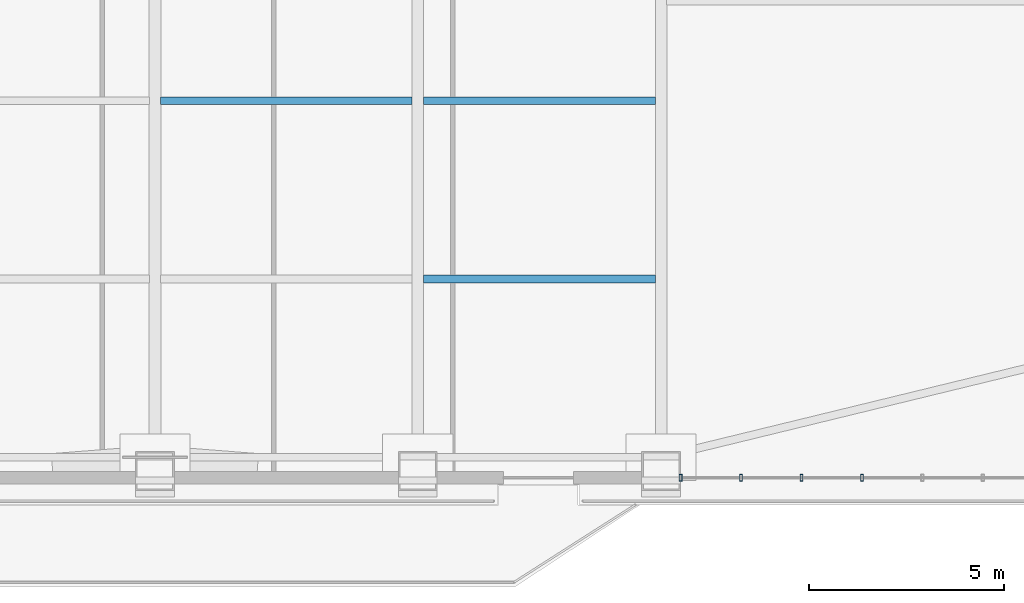
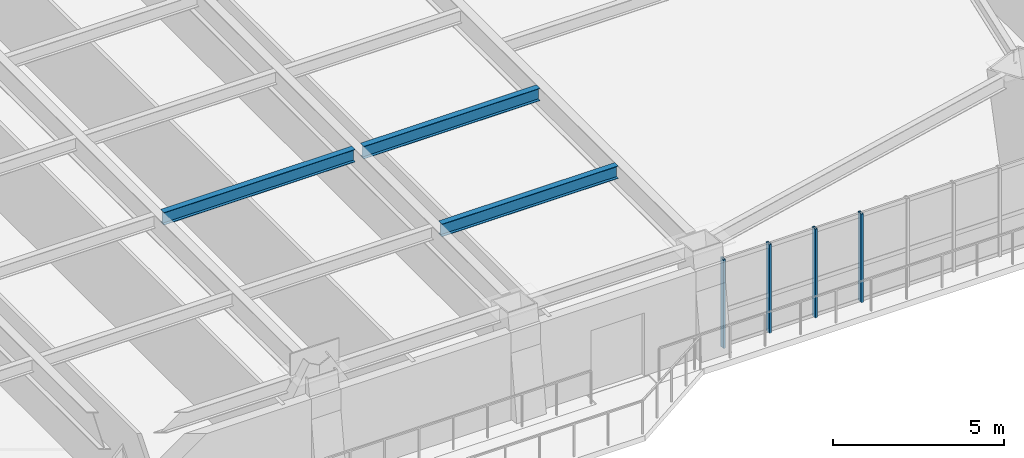
# One storey, part 6 of 18: 4 members, 3 beams, 1 element without a shape of its own.
"""IFC4 building model written with IfcOpenShell, lengths in metres."""

from ifc_helpers import new_model, si_unit, direction, frame, origin, origin_2d, place, context, subcontext, project, spatial, hollow_rectangle, i_section, extrude, source, transform, mapped, material, layer, layer_set, material_profile, profile_set, type_object, element, aggregate, save


model = new_model("IFC4")

# Units and contexts
model_context = context("Model", 3, precision=1e-05, world=origin(), true_north=direction((0.0, 1.0)))
body_context = subcontext(model_context, "Body", "Model", "MODEL_VIEW")
ifc_project = project(units=[si_unit("LENGTHUNIT", "METRE"), si_unit("AREAUNIT", "SQUARE_METRE"), si_unit("VOLUMEUNIT", "CUBIC_METRE"), si_unit("PLANEANGLEUNIT", "RADIAN"), si_unit("MASSUNIT", "GRAM", prefix="KILO")], contexts=[model_context])

# Site, building, storey
site_placement = place(None, origin())
site = spatial("IfcSite", under=ifc_project, at=site_placement, CompositionType="ELEMENT")
building_placement = place(site_placement, origin())
building = spatial("IfcBuilding", under=site, at=building_placement, Name="Giltprow Tower", CompositionType="ELEMENT")
storey_placement = place(building_placement, frame((0.0, 0.0, 68.89990234375)))
storey = spatial("IfcBuildingStorey", under=building, at=storey_placement, Name="L17", CompositionType="ELEMENT", Elevation=68.89990234375)

# Beams
ifc_material_1 = material(Name="Structural steel Q355B", Category="steel")
ifc_material_profile_1 = material_profile(ifc_material_1, i_section(OverallWidth=0.199951171875, OverallDepth=0.449951171875, WebThickness=0.009033203125, FlangeThickness=0.013916015625, at=origin_2d()), Name="HN 450x200x9x14")
ifc_profile_set_1 = profile_set([ifc_material_profile_1], Name="Structural steel Q355B")
beam_type = type_object("IfcBeamType", Name="BM-JOIST-HN450", PredefinedType="JOIST", material=ifc_profile_set_1)
shared_shape_1 = source(origin(), body_context, "Body", "SweptSolid", [
    extrude(i_section(OverallWidth=0.199951171875, OverallDepth=0.449951171875, WebThickness=0.009033203125, FlangeThickness=0.013916015625, at=origin_2d()), origin(), (0.0, 0.0, 1.0), 6.4599609375),
])
beam_placement = place(storey_placement, frame((37.695068359375, 14.56396484375, 3.4150390625), z_axis=(1.0, 0.0, 0.0), x_axis=(0.0, 1.0, 0.0)))
element("IfcBeam", 1, at=beam_placement, inside=storey, type_object=beam_type, Name="L17 Composite Floor Joist 2-3", PredefinedType="JOIST", context=body_context, shape_type="MappedRepresentation", body=[
    mapped(shared_shape_1, transform((0.0, 0.0, 0.0), x_axis=(1.0, 0.0, 0.0), y_axis=(0.0, 1.0, 0.0), z_axis=(0.0, 0.0, 1.0), scale=1.0)),
])
shared_shape_2 = source(origin(), body_context, "Body", "SweptSolid", [
    extrude(i_section(OverallWidth=0.199951171875, OverallDepth=0.449951171875, WebThickness=0.009033203125, FlangeThickness=0.013916015625, at=origin_2d()), origin(), (0.0, 0.0, 1.0), 5.9599609375),
])
for number, where, z_axis, x_axis, name in (
    (2, (44.445068359375, 9.986083984375, 3.4150390625), (1.0, 0.0, 0.0), (0.0, 1.0, 0.0), "L17 Composite Floor Joist 1-4"),
    (3, (44.445068359375, 14.56396484375, 3.4150390625), (1.0, 0.0, 0.0), (0.0, 1.0, 0.0), "L17 Composite Floor Joist 2-4"),
):
    element("IfcBeam", number, at=place(storey_placement, frame(where, z_axis=z_axis, x_axis=x_axis)), inside=storey, type_object=beam_type, Name=name, PredefinedType="JOIST", context=body_context, shape_type="MappedRepresentation", body=[
        mapped(shared_shape_2, transform((0.0, 0.0, 0.0), x_axis=(1.0, 0.0, 0.0), y_axis=(0.0, 1.0, 0.0), z_axis=(0.0, 0.0, 1.0), scale=1.0)),
    ])

# Curtain wall, members
ifc_material_2 = material(Name="Anodized bronze", Category="metal")
ifc_layer = layer(ifc_material_2, 0.179931640625, Name="Anodized bronze")
ifc_layer_set = layer_set([ifc_layer], Name="Anodized bronze")
curtain_wall_type = type_object("IfcCurtainWallType", Name="CW-OFF-RECESSED", PredefinedType="NOTDEFINED", material=ifc_layer_set)
curtain_wall_placement = place(storey_placement, origin())
curtain_wall = element("IfcCurtainWall", 4, at=curtain_wall_placement, inside=storey, type_object=curtain_wall_type, Name="L17 South Recessed Curtain Wall 6", PredefinedType="NOTDEFINED")
ifc_material_profile_2 = material_profile(ifc_material_2, hollow_rectangle(XDim=0.074951171875, YDim=0.179931640625, WallThickness=0.008056640625, at=origin_2d()), Name="RHS 180x75x8")
ifc_profile_set_2 = profile_set([ifc_material_profile_2], Name="Anodized bronze")
member_type = type_object("IfcMemberType", Name="CW-MULLION-180x75", PredefinedType="MULLION", material=ifc_profile_set_2)
shared_shape_3 = source(origin(), body_context, "Body", "SweptSolid", [
    extrude(hollow_rectangle(XDim=0.074951171875, YDim=0.179931640625, WallThickness=0.008056640625, at=origin_2d()), origin(), (0.0, 0.0, 1.0), 3.175048828125),
])
member_1_placement = place(storey_placement, frame((51.050048828125, 4.882080078125, -0.02001953125), z_axis=(0.0, 0.0, 1.0), x_axis=(1.0, 0.0, 0.0)))
member_1 = element("IfcMember", 5, at=member_1_placement, type_object=member_type, Name="L17 South Recessed Curtain Wall 6 Mullion 1", PredefinedType="MULLION", context=body_context, shape_type="MappedRepresentation", body=[
    mapped(shared_shape_3, transform((0.0, 0.0, 0.0), x_axis=(1.0, 0.0, 0.0), y_axis=(0.0, 1.0, 0.0), z_axis=(0.0, 0.0, 1.0), scale=1.0)),
])
member_2_placement = place(storey_placement, frame((52.60302734375, 4.882080078125, -0.02001953125), z_axis=(0.0, 0.0, 1.0), x_axis=(1.0, 0.0, 0.0)))
member_2 = element("IfcMember", 6, at=member_2_placement, type_object=member_type, Name="L17 South Recessed Curtain Wall 6 Mullion 2", PredefinedType="MULLION", context=body_context, shape_type="MappedRepresentation", body=[
    mapped(shared_shape_3, transform((0.0, 0.0, 0.0), x_axis=(1.0, 0.0, 0.0), y_axis=(0.0, 1.0, 0.0), z_axis=(0.0, 0.0, 1.0), scale=1.0)),
])
member_3_placement = place(storey_placement, frame((54.156005859375, 4.882080078125, -0.02001953125), z_axis=(0.0, 0.0, 1.0), x_axis=(1.0, 0.0, 0.0)))
member_3 = element("IfcMember", 7, at=member_3_placement, type_object=member_type, Name="L17 South Recessed Curtain Wall 6 Mullion 3", PredefinedType="MULLION", context=body_context, shape_type="MappedRepresentation", body=[
    mapped(shared_shape_3, transform((0.0, 0.0, 0.0), x_axis=(1.0, 0.0, 0.0), y_axis=(0.0, 1.0, 0.0), z_axis=(0.0, 0.0, 1.0), scale=1.0)),
])
member_4_placement = place(storey_placement, frame((55.708984375, 4.882080078125, -0.02001953125), z_axis=(0.0, 0.0, 1.0), x_axis=(1.0, 0.0, 0.0)))
member_4 = element("IfcMember", 8, at=member_4_placement, type_object=member_type, Name="L17 South Recessed Curtain Wall 6 Mullion 4", PredefinedType="MULLION", context=body_context, shape_type="MappedRepresentation", body=[
    mapped(shared_shape_3, transform((0.0, 0.0, 0.0), x_axis=(1.0, 0.0, 0.0), y_axis=(0.0, 1.0, 0.0), z_axis=(0.0, 0.0, 1.0), scale=1.0)),
])
aggregate(curtain_wall, [member_1, member_2, member_3, member_4])

save(model, "model.ifc")
